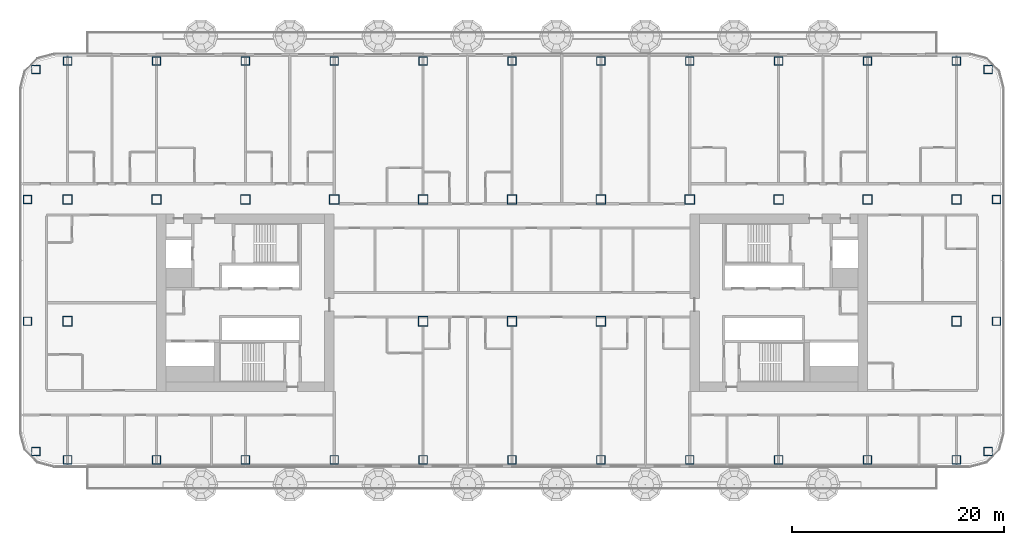
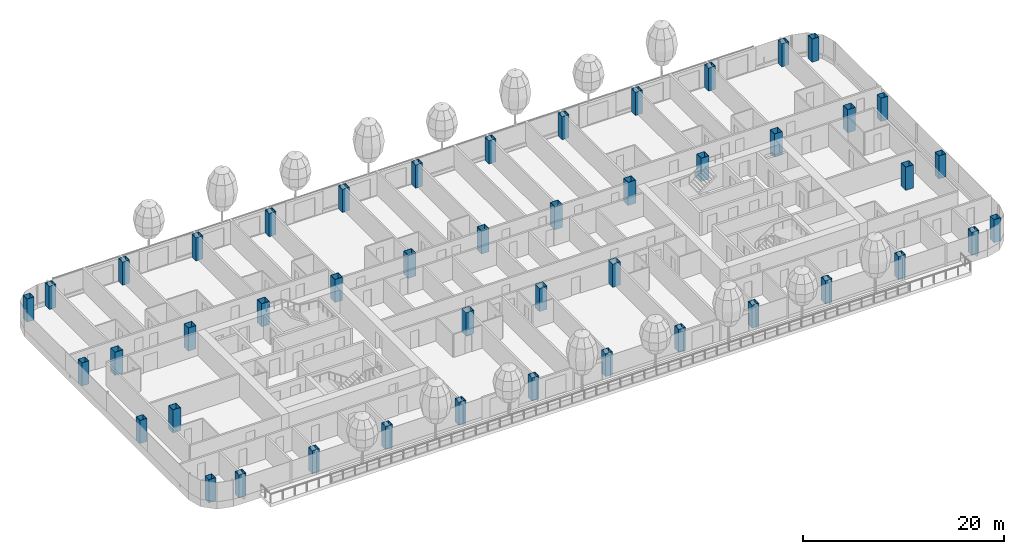
# One storey, part 1 of 33: 46 columns.
"""IFC4 building model written with IfcOpenShell, lengths in metres."""

from ifc_helpers import new_model, si_unit, direction, frame, origin, origin_2d, place, context, subcontext, project, spatial, hollow_rectangle, extrude, material, material_profile, profile_set, type_object, element, save


model = new_model("IFC4")

# Units and contexts
model_context = context("Model", 3, precision=1e-05, world=origin(), true_north=direction((0.0, 1.0)))
body_context = subcontext(model_context, "Body", "Model", "MODEL_VIEW")
ifc_project = project(units=[si_unit("LENGTHUNIT", "METRE"), si_unit("AREAUNIT", "SQUARE_METRE"), si_unit("VOLUMEUNIT", "CUBIC_METRE"), si_unit("PLANEANGLEUNIT", "RADIAN"), si_unit("MASSUNIT", "GRAM", prefix="KILO")], contexts=[model_context])

# Site, building, storey
site_placement = place(None, origin())
site = spatial("IfcSite", under=ifc_project, at=site_placement, CompositionType="ELEMENT")
building_placement = place(site_placement, origin())
building = spatial("IfcBuilding", under=site, at=building_placement, Name="Hakoniwa Tower and Hamabe Station Hall", CompositionType="ELEMENT")
storey_placement = place(building_placement, frame((0.0, 0.0, 81.800048828125)))
storey = spatial("IfcBuildingStorey", under=building, at=storey_placement, Name="L22", CompositionType="ELEMENT", Elevation=81.800048828125)

# Columns
ifc_material_1 = material(Name="Steel SN490C", Category="steel")
ifc_material_profile_1 = material_profile(ifc_material_1, hollow_rectangle(XDim=0.800048828125, YDim=0.800048828125, WallThickness=0.031982421875, at=origin_2d()), Name="BX-800x800x32")
ifc_profile_set_1 = profile_set([ifc_material_profile_1], Name="Steel SN490C")
column_type_1 = type_object("IfcColumnType", Name="COLUMN BX-800x800x32", PredefinedType="COLUMN", material=ifc_profile_set_1)
for number, where, z_axis, x_axis, name in (
    (1, (-45.003173828125, -14.052978515625, 0.0), (0.0, 0.0, 1.0), (1.0, 0.0, 0.0), "Column B2-EW-A2"),
    (2, (-45.800048828125, -1.75, 0.0), (0.0, 0.0, 1.0), (1.0, 0.0, 0.0), "Column B2-EW-C2"),
    (3, (-45.800048828125, 9.75, 0.0), (0.0, 0.0, 1.0), (1.0, 0.0, 0.0), "Column B2-EW-E2"),
    (4, (-45.003173828125, 22.052978515625, 0.0), (0.0, 0.0, 1.0), (1.0, 0.0, 0.0), "Column B2-EW-G2"),
    (5, (-42.0, -14.85009765625, 0.0), (0.0, 0.0, 1.0), (1.0, 0.0, 0.0), "Column B2-2-A2"),
    (6, (-42.0, 22.85009765625, 0.0), (0.0, 0.0, 1.0), (1.0, 0.0, 0.0), "Column B2-2-G2"),
    (7, (-33.60009765625, -14.85009765625, 0.0), (0.0, 0.0, 1.0), (1.0, 0.0, 0.0), "Column B2-3-A2"),
    (8, (-33.60009765625, 22.85009765625, 0.0), (0.0, 0.0, 1.0), (1.0, 0.0, 0.0), "Column B2-3-G2"),
    (9, (-25.199951171875, -14.85009765625, 0.0), (0.0, 0.0, 1.0), (1.0, 0.0, 0.0), "Column B2-4-A2"),
    (10, (-25.199951171875, 22.85009765625, 0.0), (0.0, 0.0, 1.0), (1.0, 0.0, 0.0), "Column B2-4-G2"),
    (11, (-16.800048828125, -14.85009765625, 0.0), (0.0, 0.0, 1.0), (1.0, 0.0, 0.0), "Column B2-5-A2"),
    (12, (-16.800048828125, 22.85009765625, 0.0), (0.0, 0.0, 1.0), (1.0, 0.0, 0.0), "Column B2-5-G2"),
    (13, (-8.39990234375, -14.85009765625, 0.0), (0.0, 0.0, 1.0), (1.0, 0.0, 0.0), "Column B2-6-A2"),
    (14, (-8.39990234375, 22.85009765625, 0.0), (0.0, 0.0, 1.0), (1.0, 0.0, 0.0), "Column B2-6-G2"),
    (15, (0.0, -14.85009765625, 0.0), (0.0, 0.0, 1.0), (1.0, 0.0, 0.0), "Column B2-7-A2"),
    (16, (0.0, 22.85009765625, 0.0), (0.0, 0.0, 1.0), (1.0, 0.0, 0.0), "Column B2-7-G2"),
    (17, (8.39990234375, -14.85009765625, 0.0), (0.0, 0.0, 1.0), (1.0, 0.0, 0.0), "Column B2-8-A2"),
    (18, (8.39990234375, 22.85009765625, 0.0), (0.0, 0.0, 1.0), (1.0, 0.0, 0.0), "Column B2-8-G2"),
    (19, (16.800048828125, -14.85009765625, 0.0), (0.0, 0.0, 1.0), (1.0, 0.0, 0.0), "Column B2-9-A2"),
    (20, (16.800048828125, 22.85009765625, 0.0), (0.0, 0.0, 1.0), (1.0, 0.0, 0.0), "Column B2-9-G2"),
    (21, (25.199951171875, -14.85009765625, 0.0), (0.0, 0.0, 1.0), (1.0, 0.0, 0.0), "Column B2-10-A2"),
    (22, (25.199951171875, 22.85009765625, 0.0), (0.0, 0.0, 1.0), (1.0, 0.0, 0.0), "Column B2-10-G2"),
    (23, (33.60009765625, -14.85009765625, 0.0), (0.0, 0.0, 1.0), (1.0, 0.0, 0.0), "Column B2-11-A2"),
    (24, (33.60009765625, 22.85009765625, 0.0), (0.0, 0.0, 1.0), (1.0, 0.0, 0.0), "Column B2-11-G2"),
    (25, (42.0, -14.85009765625, 0.0), (0.0, 0.0, 1.0), (1.0, 0.0, 0.0), "Column B2-12-A2"),
    (26, (42.0, 22.85009765625, 0.0), (0.0, 0.0, 1.0), (1.0, 0.0, 0.0), "Column B2-12-G2"),
    (27, (45.003173828125, -14.052978515625, 0.0), (0.0, 0.0, 1.0), (1.0, 0.0, 0.0), "Column B2-EE-A2"),
    (28, (45.800048828125, -1.75, 0.0), (0.0, 0.0, 1.0), (1.0, 0.0, 0.0), "Column B2-EE-C2"),
    (29, (45.800048828125, 9.75, 0.0), (0.0, 0.0, 1.0), (1.0, 0.0, 0.0), "Column B2-EE-E2"),
    (30, (45.003173828125, 22.052978515625, 0.0), (0.0, 0.0, 1.0), (1.0, 0.0, 0.0), "Column B2-EE-G2"),
):
    element("IfcColumn", number, at=place(storey_placement, frame(where, z_axis=z_axis, x_axis=x_axis)), inside=storey, type_object=column_type_1, Name=name, PredefinedType="COLUMN", context=body_context, shape_type="SweptSolid", body=[
        extrude(hollow_rectangle(XDim=0.800048828125, YDim=0.800048828125, WallThickness=0.031982421875, at=origin_2d()), origin(), (0.0, 0.0, 1.0), 2.800048828125),
    ])
ifc_material_2 = material(Name="Steel SN490C", Category="steel")
ifc_material_profile_2 = material_profile(ifc_material_2, hollow_rectangle(XDim=0.89990234375, YDim=0.89990234375, WallThickness=0.035888671875, at=origin_2d()), Name="BX-900x900x36")
ifc_profile_set_2 = profile_set([ifc_material_profile_2], Name="Steel SN490C")
column_type_2 = type_object("IfcColumnType", Name="COLUMN BX-900x900x36", PredefinedType="COLUMN", material=ifc_profile_set_2)
for number, where, z_axis, x_axis, name in (
    (31, (-42.0, -1.75, 0.0), (0.0, 0.0, 1.0), (1.0, 0.0, 0.0), "Column B2-2-C2"),
    (32, (-42.0, 9.75, 0.0), (0.0, 0.0, 1.0), (1.0, 0.0, 0.0), "Column B2-2-E2"),
    (33, (-33.60009765625, 9.75, 0.0), (0.0, 0.0, 1.0), (1.0, 0.0, 0.0), "Column B2-3-E2"),
    (34, (-25.199951171875, 9.75, 0.0), (0.0, 0.0, 1.0), (1.0, 0.0, 0.0), "Column B2-4-E2"),
    (35, (-16.800048828125, 9.75, 0.0), (0.0, 0.0, 1.0), (1.0, 0.0, 0.0), "Column B2-5-E2"),
    (36, (-8.39990234375, -1.75, 0.0), (0.0, 0.0, 1.0), (1.0, 0.0, 0.0), "Column B2-6-C2"),
    (37, (-8.39990234375, 9.75, 0.0), (0.0, 0.0, 1.0), (1.0, 0.0, 0.0), "Column B2-6-E2"),
    (38, (0.0, -1.75, 0.0), (0.0, 0.0, 1.0), (1.0, 0.0, 0.0), "Column B2-7-C2"),
    (39, (0.0, 9.75, 0.0), (0.0, 0.0, 1.0), (1.0, 0.0, 0.0), "Column B2-7-E2"),
    (40, (8.39990234375, -1.75, 0.0), (0.0, 0.0, 1.0), (1.0, 0.0, 0.0), "Column B2-8-C2"),
    (41, (8.39990234375, 9.75, 0.0), (0.0, 0.0, 1.0), (1.0, 0.0, 0.0), "Column B2-8-E2"),
    (42, (16.800048828125, 9.75, 0.0), (0.0, 0.0, 1.0), (1.0, 0.0, 0.0), "Column B2-9-E2"),
    (43, (25.199951171875, 9.75, 0.0), (0.0, 0.0, 1.0), (1.0, 0.0, 0.0), "Column B2-10-E2"),
    (44, (33.60009765625, 9.75, 0.0), (0.0, 0.0, 1.0), (1.0, 0.0, 0.0), "Column B2-11-E2"),
    (45, (42.0, -1.75, 0.0), (0.0, 0.0, 1.0), (1.0, 0.0, 0.0), "Column B2-12-C2"),
    (46, (42.0, 9.75, 0.0), (0.0, 0.0, 1.0), (1.0, 0.0, 0.0), "Column B2-12-E2"),
):
    element("IfcColumn", number, at=place(storey_placement, frame(where, z_axis=z_axis, x_axis=x_axis)), inside=storey, type_object=column_type_2, Name=name, PredefinedType="COLUMN", context=body_context, shape_type="SweptSolid", body=[
        extrude(hollow_rectangle(XDim=0.89990234375, YDim=0.89990234375, WallThickness=0.035888671875, at=origin_2d()), origin(), (0.0, 0.0, 1.0), 2.800048828125),
    ])

save(model, "model.ifc")
